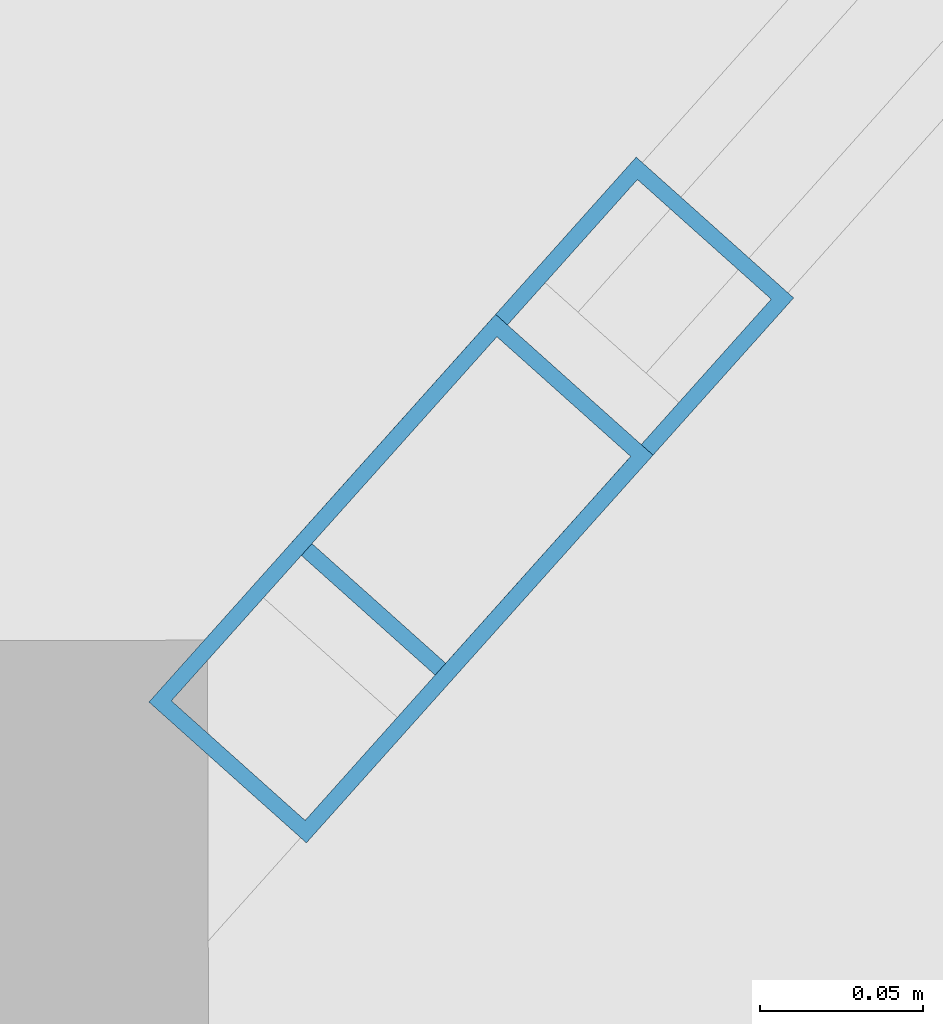
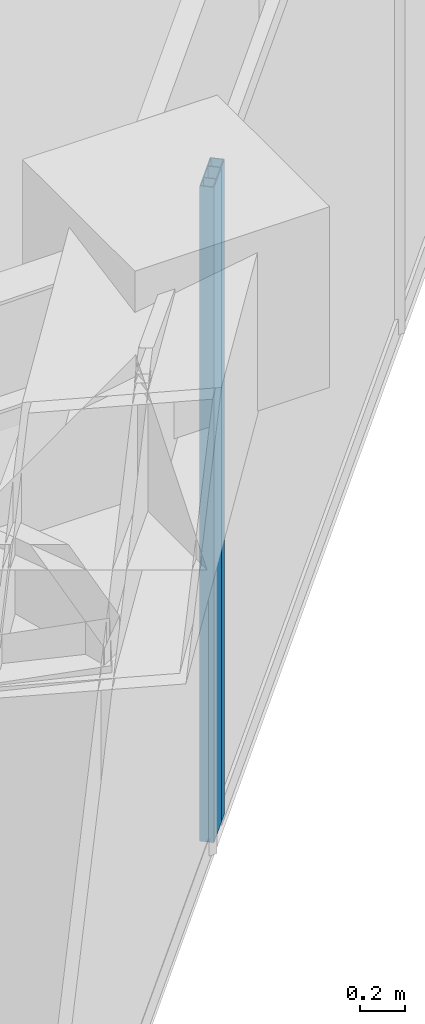
# One storey, part 7 of 21: 2 members, 2 elements without a shape of their own.
"""IFC4 building model written with IfcOpenShell, lengths in metres."""

from ifc_helpers import new_model, si_unit, direction, frame, origin, origin_2d, place, context, subcontext, project, spatial, hollow_rectangle, extrude, material, layer, layer_set, material_profile, profile_set, type_object, element, aggregate, save


model = new_model("IFC4")

# Units and contexts
model_context = context("Model", 3, precision=1e-05, world=origin(), true_north=direction((0.0, 1.0)))
body_context = subcontext(model_context, "Body", "Model", "MODEL_VIEW")
ifc_project = project(units=[si_unit("LENGTHUNIT", "METRE"), si_unit("AREAUNIT", "SQUARE_METRE"), si_unit("VOLUMEUNIT", "CUBIC_METRE"), si_unit("PLANEANGLEUNIT", "RADIAN"), si_unit("MASSUNIT", "GRAM", prefix="KILO")], contexts=[model_context])

# Site, building, storey
site_placement = place(None, origin())
site = spatial("IfcSite", under=ifc_project, at=site_placement, CompositionType="ELEMENT")
building_placement = place(site_placement, origin())
building = spatial("IfcBuilding", under=site, at=building_placement, Name="Qianvela Tower", CompositionType="ELEMENT")
storey_placement = place(building_placement, frame((0.0, 0.0, 250.10009765625)))
storey = spatial("IfcBuildingStorey", under=building, at=storey_placement, Name="L64", CompositionType="ELEMENT", Elevation=250.10009765625)

# Curtain wall, member
ifc_material_1 = material(Name="Anodised Architectural Aluminium and Insulated Spandrel Panel", Category="aluminium")
ifc_layer_1 = layer(ifc_material_1, 0.179931640625)
ifc_layer_set_1 = layer_set([ifc_layer_1], Name="Anodised Architectural Aluminium and Insulated Spandrel Panel")
curtain_wall_type_1 = type_object("IfcCurtainWallType", Name="CW-BRACEBAY", PredefinedType="USERDEFINED", material=ifc_layer_set_1)
curtain_wall_1_placement = place(storey_placement, origin())
curtain_wall_1 = element("IfcCurtainWall", 1, at=curtain_wall_1_placement, inside=storey, type_object=curtain_wall_type_1, Name="L64 CW-BRACEBAY Curtain Wall 06A", ObjectType="CURTAIN_WALL_SYSTEM", PredefinedType="USERDEFINED")
ifc_material_2 = material(Name="Anodised Architectural Aluminium 6063-T6", Category="aluminium")
ifc_material_profile_1 = material_profile(ifc_material_2, hollow_rectangle(XDim=0.06494140625, YDim=0.159912109375, WallThickness=0.0048828125, at=origin_2d()), Name="ALU-MULL-65x160")
ifc_profile_set_1 = profile_set([ifc_material_profile_1], Name="Anodised Architectural Aluminium 6063-T6")
member_type_1 = type_object("IfcMemberType", Name="CW-BRACEBAY-MULL", PredefinedType="MULLION", material=ifc_profile_set_1)
member_1_placement = place(storey_placement, frame((48.050537109375, 20.880859375, 0.0), z_axis=(0.0, 0.0, 1.0), x_axis=(-0.74539425645, 0.666623883799, 0.0)))
member_1 = element("IfcMember", 2, at=member_1_placement, type_object=member_type_1, Name="CW-9 mullion 3", PredefinedType="MULLION", context=body_context, shape_type="SweptSolid", body=[
    extrude(hollow_rectangle(XDim=0.06494140625, YDim=0.159912109375, WallThickness=0.0048828125, at=origin_2d()), origin(), (0.0, 0.0, 1.0), 3.52001953125),
])
aggregate(curtain_wall_1, [member_1])

ifc_material_3 = material(Name="Anodised Architectural Aluminium and Low-E Glass", Category="aluminium")
ifc_layer_2 = layer(ifc_material_3, 0.159912109375)
ifc_layer_set_2 = layer_set([ifc_layer_2], Name="Anodised Architectural Aluminium and Low-E Glass")
curtain_wall_type_2 = type_object("IfcCurtainWallType", Name="CW-COLIV-Z56", PredefinedType="USERDEFINED", material=ifc_layer_set_2)
curtain_wall_2_placement = place(storey_placement, origin())
curtain_wall_2 = element("IfcCurtainWall", 3, at=curtain_wall_2_placement, inside=storey, type_object=curtain_wall_type_2, Name="L64 CW-COLIV-Z56 Curtain Wall 06B", ObjectType="CURTAIN_WALL_SYSTEM", PredefinedType="USERDEFINED")
ifc_material_4 = material(Name="Anodised Architectural Aluminium 6063-T6", Category="aluminium")
ifc_material_profile_2 = material_profile(ifc_material_4, hollow_rectangle(XDim=0.06494140625, YDim=0.159912109375, WallThickness=0.0048828125, at=origin_2d()), Name="ALU-MULL-65x160")
ifc_profile_set_2 = profile_set([ifc_material_profile_2], Name="Anodised Architectural Aluminium 6063-T6")
member_type_2 = type_object("IfcMemberType", Name="CW-COLIV-Z56-MULL", PredefinedType="MULLION", material=ifc_profile_set_2)
member_2_placement = place(storey_placement, frame((48.09375, 20.92919921875, 0.0), z_axis=(0.0, 0.0, 1.0), x_axis=(-0.745393662226, 0.666624548237, 0.0)))
member_2 = element("IfcMember", 4, at=member_2_placement, type_object=member_type_2, Name="CW-5 mullion 1", PredefinedType="MULLION", context=body_context, shape_type="SweptSolid", body=[
    extrude(hollow_rectangle(XDim=0.06494140625, YDim=0.159912109375, WallThickness=0.0048828125, at=origin_2d()), origin(), (0.0, 0.0, 1.0), 3.52001953125),
])
aggregate(curtain_wall_2, [member_2])

save(model, "model.ifc")
